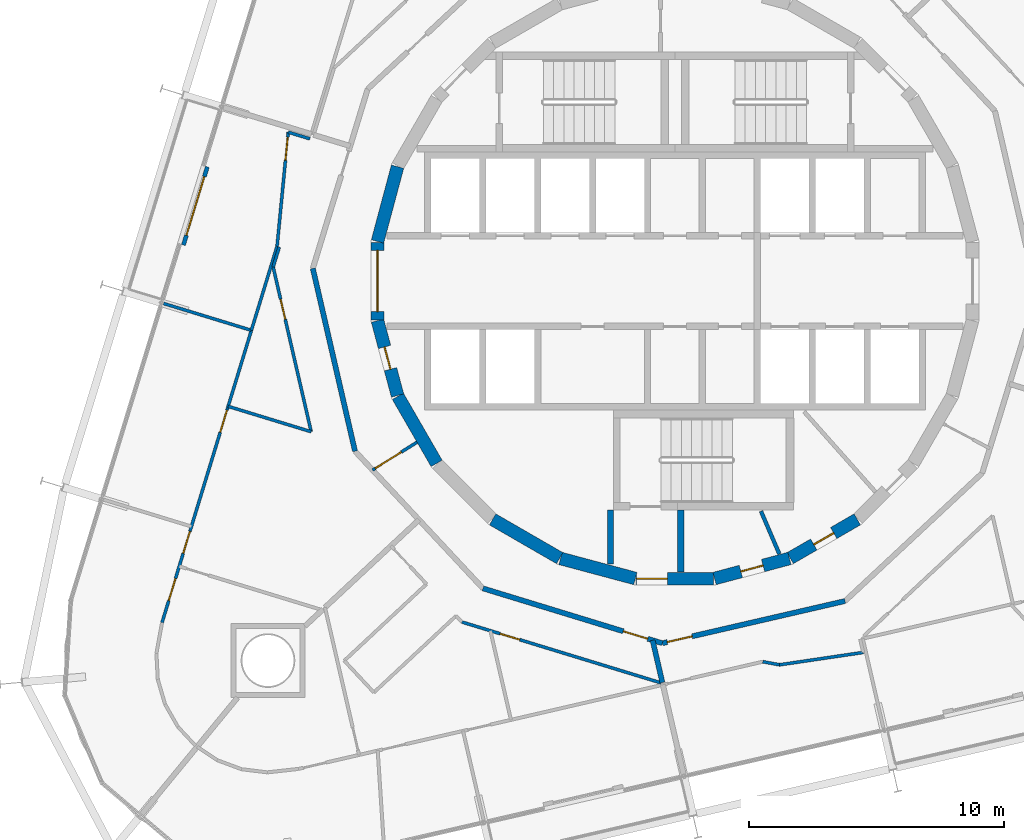
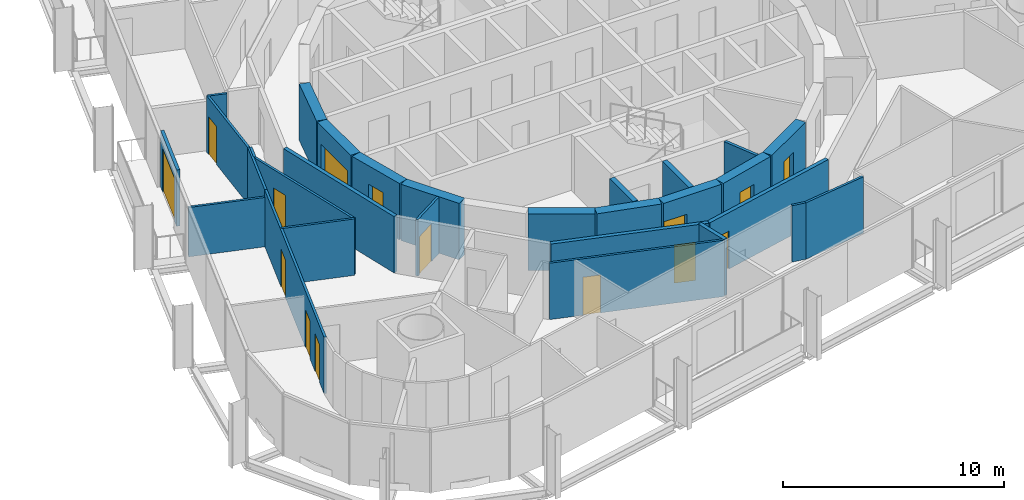
# One storey, part 12 of 18: 29 walls, 15 doors, 15 openings.
"""IFC4 building model written with IfcOpenShell, lengths in metres."""

from ifc_helpers import new_model, si_unit, direction, frame, frame_2d, origin, place, context, subcontext, project, spatial, rectangle, extrude, material, layer, layer_set, type_object, element, fill, save


model = new_model("IFC4")

# Units and contexts
model_context = context("Model", 3, precision=1e-05, world=origin(), true_north=direction((0.0, 1.0)))
body_context = subcontext(model_context, "Body", "Model", "MODEL_VIEW")
ifc_project = project(units=[si_unit("LENGTHUNIT", "METRE"), si_unit("AREAUNIT", "SQUARE_METRE"), si_unit("VOLUMEUNIT", "CUBIC_METRE"), si_unit("PLANEANGLEUNIT", "RADIAN"), si_unit("MASSUNIT", "GRAM", prefix="KILO")], contexts=[model_context])

# Site, building, storey
site_placement = place(None, origin())
site = spatial("IfcSite", under=ifc_project, at=site_placement, CompositionType="ELEMENT")
building_placement = place(site_placement, origin())
building = spatial("IfcBuilding", under=site, at=building_placement, Name="Spindle Arch Residences", CompositionType="ELEMENT")
storey_placement = place(building_placement, frame((0.0, 0.0, 120.39990234375)))
storey = spatial("IfcBuildingStorey", under=building, at=storey_placement, Name="L29", CompositionType="ELEMENT", Elevation=120.39990234375)

# Wall, opening, door
ifc_material_1 = material(Name="Concrete C50/60", Category="concrete")
ifc_layer_1 = layer(ifc_material_1, 0.5)
ifc_layer_set_1 = layer_set([ifc_layer_1], Name="Core outline wall 500")
wall_type_1 = type_object("IfcWallType", Name="Core outline wall 500", PredefinedType="SHEAR", material=ifc_layer_set_1)
wall_1_placement = place(storey_placement, frame((1.5498046875, -11.642822265625, 0.0), z_axis=(0.0, 0.0, 1.0), x_axis=(0.965948410781, 0.258734743916, 0.0)))
wall_1 = element("IfcWall", 1, at=wall_1_placement, inside=storey, type_object=wall_type_1, Name="Core outline wall 1", PredefinedType="SHEAR", context=body_context, shape_type="SweptSolid", body=[
    extrude(rectangle(XDim=3.03271484375, YDim=0.5, at=frame_2d((1.516357421875, 0.0))), origin(), (0.0, 0.0, 1.0), 3.1201171875),
])
opening_1_placement = place(wall_1_placement, frame((1.06640625, 0.0, 0.0)))
opening_1 = element("IfcOpeningElement", 2, at=opening_1_placement, cuts=wall_1, Name="Opening R3A0-WD09", PredefinedType="OPENING", context=body_context, shape_type="SweptSolid", body=[
    extrude(rectangle(XDim=0.89990234375, YDim=2.10009765625, at=frame_2d((0.449951171875, 1.050048828125))), frame((0.0, 0.260009765625, 0.0), z_axis=(0.0, -1.0, 0.0), x_axis=(1.0, 0.0, 0.0)), (0.0, 0.0, 1.0), 0.52001953125),
])
ifc_material_2 = material(Name="Steel, fire-resisting door", Category="steel")
door_type_1 = type_object("IfcDoorType", Name="Service room door 900x2100", OperationType="SINGLE_SWING_LEFT", PredefinedType="DOOR", material=ifc_material_2)
door_1_placement = place(opening_1_placement, origin())
door_1 = element("IfcDoor", 3, at=door_1_placement, inside=storey, type_object=door_type_1, Name="Service room door R3A0-WD09", OperationType="SINGLE_SWING_RIGHT", OverallHeight=2.10009765625, OverallWidth=0.89990234375, PredefinedType="DOOR", context=body_context, shape_type="SweptSolid", body=[
    extrude(rectangle(XDim=0.89990234375, YDim=2.10009765625, at=frame_2d((0.449951171875, 1.050048828125))), frame((0.0, 0.02490234375, 0.0), z_axis=(0.0, -1.0, 0.0), x_axis=(1.0, 0.0, 0.0)), (0.0, 0.0, 1.0), 0.050048828125),
])
fill(opening_1, door_1)

wall_2_placement = place(storey_placement, frame((4.510498046875, -10.84521484375, 0.0), z_axis=(0.0, 0.0, 1.0), x_axis=(0.865975092491, 0.500087131594, 0.0)))
wall_2 = element("IfcWall", 4, at=wall_2_placement, inside=storey, type_object=wall_type_1, Name="Core outline wall 2", PredefinedType="SHEAR", context=body_context, shape_type="SweptSolid", body=[
    extrude(rectangle(XDim=3.03271484375, YDim=0.5, at=frame_2d((1.516357421875, 0.0))), origin(), (0.0, 0.0, 1.0), 3.1201171875),
])
opening_2_placement = place(wall_2_placement, frame((1.06640625, 0.0, 0.0)))
opening_2 = element("IfcOpeningElement", 5, at=opening_2_placement, cuts=wall_2, Name="Opening R3A0-WD10", PredefinedType="OPENING", context=body_context, shape_type="SweptSolid", body=[
    extrude(rectangle(XDim=0.89990234375, YDim=2.10009765625, at=frame_2d((0.449951171875, 1.050048828125))), frame((0.0, 0.260009765625, 0.0), z_axis=(0.0, -1.0, 0.0), x_axis=(1.0, 0.0, 0.0)), (0.0, 0.0, 1.0), 0.52001953125),
])
door_2_placement = place(opening_2_placement, origin())
door_2 = element("IfcDoor", 6, at=door_2_placement, inside=storey, type_object=door_type_1, Name="Service room door R3A0-WD10", OperationType="SINGLE_SWING_LEFT", OverallHeight=2.10009765625, OverallWidth=0.89990234375, PredefinedType="DOOR", context=body_context, shape_type="SweptSolid", body=[
    extrude(rectangle(XDim=0.89990234375, YDim=2.10009765625, at=frame_2d((0.449951171875, 1.050048828125))), frame((0.0, 0.02490234375, 0.0), z_axis=(0.0, -1.0, 0.0), x_axis=(1.0, 0.0, 0.0)), (0.0, 0.0, 1.0), 0.050048828125),
])
fill(opening_2, door_2)

# Wall
wall_3_placement = place(storey_placement, frame((-10.858154296875, 4.479248046875, 0.0), z_axis=(0.0, 0.0, 1.0), x_axis=(-0.258734743916, -0.965948410781, 0.0)))
element("IfcWall", 7, at=wall_3_placement, inside=storey, type_object=wall_type_1, Name="Core outline wall 17", PredefinedType="SHEAR", context=body_context, shape_type="SweptSolid", body=[
    extrude(rectangle(XDim=3.03271484375, YDim=0.5, at=frame_2d((1.516357421875, 0.0))), origin(), (0.0, 0.0, 1.0), 3.1201171875),
])

# Wall, opening, door
wall_4_placement = place(storey_placement, frame((-11.647216796875, 1.516357421875, 0.0), z_axis=(0.0, 0.0, 1.0), x_axis=(0.0, -1.0, 0.0)))
wall_4 = element("IfcWall", 8, at=wall_4_placement, inside=storey, type_object=wall_type_1, Name="Core outline wall 18", PredefinedType="SHEAR", context=body_context, shape_type="SweptSolid", body=[
    extrude(rectangle(XDim=3.03271484375, YDim=0.5, at=frame_2d((1.516357421875, 0.0))), origin(), (0.0, 0.0, 1.0), 3.1201171875),
])
opening_3_placement = place(wall_4_placement, frame((0.31640625, 0.0, 0.0)))
opening_3 = element("IfcOpeningElement", 9, at=opening_3_placement, cuts=wall_4, Name="Opening R3A0-LE01", PredefinedType="OPENING", context=body_context, shape_type="SweptSolid", body=[
    extrude(rectangle(XDim=2.39990234375, YDim=2.10009765625, at=frame_2d((1.199951171875, 1.050048828125))), frame((0.0, 0.260009765625, 0.0), z_axis=(0.0, -1.0, 0.0), x_axis=(1.0, 0.0, 0.0)), (0.0, 0.0, 1.0), 0.52001953125),
])
ifc_material_3 = material(Name="Steel, fire-resisting door", Category="steel")
door_type_2 = type_object("IfcDoorType", Name="Lift lobby entrance door 2400x2100", OperationType="DOUBLE_DOOR_SINGLE_SWING", PredefinedType="DOOR", material=ifc_material_3)
door_3_placement = place(opening_3_placement, origin())
door_3 = element("IfcDoor", 10, at=door_3_placement, inside=storey, type_object=door_type_2, Name="Lift lobby entrance door R3A0-LE01", OperationType="DOUBLE_DOOR_SINGLE_SWING", OverallHeight=2.10009765625, OverallWidth=2.39990234375, PredefinedType="DOOR", context=body_context, shape_type="SweptSolid", body=[
    extrude(rectangle(XDim=2.39990234375, YDim=2.10009765625, at=frame_2d((1.199951171875, 1.050048828125))), frame((0.0, 0.02490234375, 0.0), z_axis=(0.0, -1.0, 0.0), x_axis=(1.0, 0.0, 0.0)), (0.0, 0.0, 1.0), 0.050048828125),
])
fill(opening_3, door_3)

wall_5_placement = place(storey_placement, frame((-11.642822265625, -1.5498046875, 0.0), z_axis=(0.0, 0.0, 1.0), x_axis=(0.258734743916, -0.965948410781, 0.0)))
wall_5 = element("IfcWall", 11, at=wall_5_placement, inside=storey, type_object=wall_type_1, Name="Core outline wall 19", PredefinedType="SHEAR", context=body_context, shape_type="SweptSolid", body=[
    extrude(rectangle(XDim=3.03271484375, YDim=0.5, at=frame_2d((1.516357421875, 0.0))), origin(), (0.0, 0.0, 1.0), 3.1201171875),
])
opening_4_placement = place(wall_5_placement, frame((1.06640625, 0.0, 0.0)))
opening_4 = element("IfcOpeningElement", 12, at=opening_4_placement, cuts=wall_5, Name="Opening R3A0-WD11", PredefinedType="OPENING", context=body_context, shape_type="SweptSolid", body=[
    extrude(rectangle(XDim=0.89990234375, YDim=2.10009765625, at=frame_2d((0.449951171875, 1.050048828125))), frame((0.0, 0.260009765625, 0.0), z_axis=(0.0, -1.0, 0.0), x_axis=(1.0, 0.0, 0.0)), (0.0, 0.0, 1.0), 0.52001953125),
])
door_4_placement = place(opening_4_placement, origin())
door_4 = element("IfcDoor", 13, at=door_4_placement, inside=storey, type_object=door_type_1, Name="Service room door R3A0-WD11", OperationType="SINGLE_SWING_RIGHT", OverallHeight=2.10009765625, OverallWidth=0.89990234375, PredefinedType="DOOR", context=body_context, shape_type="SweptSolid", body=[
    extrude(rectangle(XDim=0.89990234375, YDim=2.10009765625, at=frame_2d((0.449951171875, 1.050048828125))), frame((0.0, 0.02490234375, 0.0), z_axis=(0.0, -1.0, 0.0), x_axis=(1.0, 0.0, 0.0)), (0.0, 0.0, 1.0), 0.050048828125),
])
fill(opening_4, door_4)

# Walls
for number, where, z_axis, x_axis, name in (
    (14, (-10.84521484375, -4.510498046875, 0.0), (0.0, 0.0, 1.0), (0.500087131594, -0.865975092491, 0.0), "Core outline wall 20"),
    (15, (-7.13671875, -9.32861328125, 0.0), (0.0, 0.0, 1.0), (0.865975092491, -0.500087131594, 0.0), "Core outline wall 22"),
    (16, (-4.479248046875, -10.858154296875, 0.0), (0.0, 0.0, 1.0), (0.965948410781, -0.258734743916, 0.0), "Core outline wall 23"),
):
    element("IfcWall", number, at=place(storey_placement, frame(where, z_axis=z_axis, x_axis=x_axis)), inside=storey, type_object=wall_type_1, Name=name, PredefinedType="SHEAR", context=body_context, shape_type="SweptSolid", body=[
        extrude(rectangle(XDim=3.03271484375, YDim=0.5, at=frame_2d((1.516357421875, 0.0))), origin(), (0.0, 0.0, 1.0), 3.1201171875),
    ])

# Wall, opening, door
wall_6_placement = place(storey_placement, frame((-1.516357421875, -11.647216796875, 0.0), z_axis=(0.0, 0.0, 1.0), x_axis=(1.0, 0.0, 0.0)))
wall_6 = element("IfcWall", 17, at=wall_6_placement, inside=storey, type_object=wall_type_1, Name="Core outline wall 24", PredefinedType="SHEAR", context=body_context, shape_type="SweptSolid", body=[
    extrude(rectangle(XDim=3.03271484375, YDim=0.5, at=frame_2d((1.516357421875, 0.0))), origin(), (0.0, 0.0, 1.0), 3.1201171875),
])
opening_5_placement = place(wall_6_placement, frame((0.016357421875, 0.0, 0.0)))
opening_5 = element("IfcOpeningElement", 18, at=opening_5_placement, cuts=wall_6, Name="Opening R3A0-AD03", PredefinedType="OPENING", context=body_context, shape_type="SweptSolid", body=[
    extrude(rectangle(XDim=1.199951171875, YDim=2.10009765625, at=frame_2d((0.60009765625, 1.050048828125))), frame((0.0, 0.260009765625, 0.0), z_axis=(0.0, -1.0, 0.0), x_axis=(1.0, 0.0, 0.0)), (0.0, 0.0, 1.0), 0.52001953125),
])
ifc_material_4 = material(Name="Steel, fire-resisting door", Category="steel")
door_type_3 = type_object("IfcDoorType", Name="Stair airlock door 1200x2100", OperationType="SINGLE_SWING_LEFT", PredefinedType="DOOR", material=ifc_material_4)
door_5_placement = place(opening_5_placement, origin())
door_5 = element("IfcDoor", 19, at=door_5_placement, inside=storey, type_object=door_type_3, Name="Stair airlock door R3A0-AD03", OperationType="SINGLE_SWING_RIGHT", OverallHeight=2.10009765625, OverallWidth=1.199951171875, PredefinedType="DOOR", context=body_context, shape_type="SweptSolid", body=[
    extrude(rectangle(XDim=1.199951171875, YDim=2.10009765625, at=frame_2d((0.60009765625, 1.050048828125))), frame((0.0, 0.02490234375, 0.0), z_axis=(0.0, -1.0, 0.0), x_axis=(1.0, 0.0, 0.0)), (0.0, 0.0, 1.0), 0.050048828125),
])
fill(opening_5, door_5)

ifc_material_5 = material(Name="Plasterboard on steel studs", Category="steel")
ifc_layer_2 = layer(ifc_material_5, 0.1201171875)
ifc_layer_set_2 = layer_set([ifc_layer_2], Name="Corridor division wall 120")
wall_type_2 = type_object("IfcWallType", Name="Corridor division wall 120", PredefinedType="PARTITIONING", material=ifc_layer_set_2)
wall_7_placement = place(storey_placement, frame((-11.835693359375, -7.395751953125, 0.0), z_axis=(0.0, 0.0, 1.0), x_axis=(0.848071831599, 0.529881277692, 0.0)))
wall_7 = element("IfcWall", 20, at=wall_7_placement, inside=storey, type_object=wall_type_2, Name="Corridor division wall R3A0-W003", PredefinedType="PARTITIONING", context=body_context, shape_type="SweptSolid", body=[
    extrude(rectangle(XDim=2.0517578125, YDim=0.1201171875, at=frame_2d((1.02587890625, 0.0))), origin(), (0.0, 0.0, 1.0), 3.1201171875),
])
opening_6_placement = place(wall_7_placement, frame((0.125, 0.0, 0.0)))
opening_6 = element("IfcOpeningElement", 21, at=opening_6_placement, cuts=wall_7, Name="Opening R3A0-CD03", PredefinedType="OPENING", context=body_context, shape_type="SweptSolid", body=[
    extrude(rectangle(XDim=1.199951171875, YDim=2.10009765625, at=frame_2d((0.60009765625, 1.050048828125))), frame((0.0, 0.070068359375, 0.0), z_axis=(0.0, -1.0, 0.0), x_axis=(1.0, 0.0, 0.0)), (0.0, 0.0, 1.0), 0.14013671875),
])
ifc_material_6 = material(Name="Steel, fire-resisting door", Category="steel")
door_type_4 = type_object("IfcDoorType", Name="Corridor division door 1200x2100", OperationType="NOTDEFINED", PredefinedType="DOOR", material=ifc_material_6)
door_6_placement = place(opening_6_placement, origin())
door_6 = element("IfcDoor", 22, at=door_6_placement, inside=storey, type_object=door_type_4, Name="Corridor division door R3A0-CD03", OperationType="DOUBLE_DOOR_SINGLE_SWING", OverallHeight=2.10009765625, OverallWidth=1.199951171875, PredefinedType="DOOR", context=body_context, shape_type="SweptSolid", body=[
    extrude(rectangle(XDim=1.199951171875, YDim=2.10009765625, at=frame_2d((0.60009765625, 1.050048828125))), frame((0.0, 0.02490234375, 0.0), z_axis=(0.0, -1.0, 0.0), x_axis=(1.0, 0.0, 0.0)), (0.0, 0.0, 1.0), 0.050048828125),
])
fill(opening_6, door_6)

# Wall
ifc_material_7 = material(Name="Calcium silicate block, plastered")
ifc_layer_3 = layer(ifc_material_7, 0.199951171875)
ifc_layer_set_3 = layer_set([ifc_layer_3], Name="Corridor wall 200")
wall_type_3 = type_object("IfcWallType", Name="Corridor wall 200", PredefinedType="STANDARD", material=ifc_layer_set_3)
wall_8_placement = place(storey_placement, frame((-14.174560546875, 0.4951171875, 0.0), z_axis=(0.0, 0.0, 1.0), x_axis=(0.224922649383, -0.974376622151, 0.0)))
element("IfcWall", 23, at=wall_8_placement, inside=storey, type_object=wall_type_3, Name="Corridor wall R3A0-W011", PredefinedType="STANDARD", context=body_context, shape_type="SweptSolid", body=[
    extrude(rectangle(XDim=7.342041015625, YDim=0.199951171875, at=frame_2d((3.6708984375, 0.0))), origin(), (0.0, 0.0, 1.0), 3.1201171875),
])

# Wall, opening, door
wall_9_placement = place(storey_placement, frame((-7.51611328125, -12.028076171875, 0.0), z_axis=(0.0, 0.0, 1.0), x_axis=(0.956306642771, -0.292365533182, 0.0)))
wall_9 = element("IfcWall", 24, at=wall_9_placement, inside=storey, type_object=wall_type_3, Name="Corridor wall R3A0-W013", PredefinedType="STANDARD", context=body_context, shape_type="SweptSolid", body=[
    extrude(rectangle(XDim=7.341796875, YDim=0.199951171875, at=frame_2d((3.6708984375, 0.0))), origin(), (0.0, 0.0, 1.0), 3.1201171875),
])
opening_7_placement = place(wall_9_placement, frame((5.7451171875, 0.0, 0.0)))
opening_7 = element("IfcOpeningElement", 25, at=opening_7_placement, cuts=wall_9, Name="Opening R3A0-FD05", PredefinedType="OPENING", context=body_context, shape_type="SweptSolid", body=[
    extrude(rectangle(XDim=1.0, YDim=2.10009765625, at=frame_2d((0.5, 1.050048828125))), frame((0.0, 0.10986328125, 0.0), z_axis=(0.0, -1.0, 0.0), x_axis=(1.0, 0.0, 0.0)), (0.0, 0.0, 1.0), 0.219970703125),
])
ifc_material_8 = material(Name="Timber, fire-resisting door set", Category="wood")
door_type_5 = type_object("IfcDoorType", Name="Flat entrance door 1000x2100", OperationType="NOTDEFINED", PredefinedType="DOOR", material=ifc_material_8)
door_7_placement = place(opening_7_placement, origin())
door_7 = element("IfcDoor", 26, at=door_7_placement, inside=storey, type_object=door_type_5, Name="Flat entrance door R3A0-FD05", OperationType="SINGLE_SWING_LEFT", OverallHeight=2.10009765625, OverallWidth=1.0, PredefinedType="DOOR", context=body_context, shape_type="SweptSolid", body=[
    extrude(rectangle(XDim=1.0, YDim=2.10009765625, at=frame_2d((0.5, 1.050048828125))), frame((0.0, 0.02490234375, 0.0), z_axis=(0.0, -1.0, 0.0), x_axis=(1.0, 0.0, 0.0)), (0.0, 0.0, 1.0), 0.050048828125),
])
fill(opening_7, door_7)

wall_10_placement = place(storey_placement, frame((-0.4951171875, -14.174560546875, 0.0), z_axis=(0.0, 0.0, 1.0), x_axis=(0.974376622151, 0.224922649383, 0.0)))
wall_10 = element("IfcWall", 27, at=wall_10_placement, inside=storey, type_object=wall_type_3, Name="Corridor wall R3A0-W014", PredefinedType="STANDARD", context=body_context, shape_type="SweptSolid", body=[
    extrude(rectangle(XDim=7.342041015625, YDim=0.199951171875, at=frame_2d((3.6708984375, 0.0))), origin(), (0.0, 0.0, 1.0), 3.1201171875),
])
opening_8_placement = place(wall_10_placement, frame((0.199951171875, 0.0, 0.0)))
opening_8 = element("IfcOpeningElement", 28, at=opening_8_placement, cuts=wall_10, Name="Opening R3A0-FD06", PredefinedType="OPENING", context=body_context, shape_type="SweptSolid", body=[
    extrude(rectangle(XDim=1.0, YDim=2.10009765625, at=frame_2d((0.5, 1.050048828125))), frame((0.0, 0.10986328125, 0.0), z_axis=(0.0, -1.0, 0.0), x_axis=(1.0, 0.0, 0.0)), (0.0, 0.0, 1.0), 0.219970703125),
])
door_8_placement = place(opening_8_placement, origin())
door_8 = element("IfcDoor", 29, at=door_8_placement, inside=storey, type_object=door_type_5, Name="Flat entrance door R3A0-FD06", OperationType="SINGLE_SWING_LEFT", OverallHeight=2.10009765625, OverallWidth=1.0, PredefinedType="DOOR", context=body_context, shape_type="SweptSolid", body=[
    extrude(rectangle(XDim=1.0, YDim=2.10009765625, at=frame_2d((0.5, 1.050048828125))), frame((0.0, 0.02490234375, 0.0), z_axis=(0.0, -1.0, 0.0), x_axis=(1.0, 0.0, 0.0)), (0.0, 0.0, 1.0), 0.050048828125),
])
fill(opening_8, door_8)

# Wall
ifc_material_9 = material(Name="Plasterboard on steel studs", Category="steel")
ifc_layer_4 = layer(ifc_material_9, 0.1201171875)
ifc_layer_set_4 = layer_set([ifc_layer_4], Name="Flat partition 120")
wall_type_4 = type_object("IfcWallType", Name="Flat partition 120", PredefinedType="PARTITIONING", material=ifc_layer_set_4)
wall_11_placement = place(storey_placement, frame((-14.287353515625, 5.567626953125, 0.0), z_axis=(0.0, 0.0, 1.0), x_axis=(-0.956287662261, 0.292427609859, 0.0)))
element("IfcWall", 30, at=wall_11_placement, inside=storey, type_object=wall_type_4, Name="Flat partition R3A0-W073", PredefinedType="PARTITIONING", context=body_context, shape_type="SweptSolid", body=[
    extrude(rectangle(XDim=0.889892578125, YDim=0.1201171875, at=frame_2d((0.44482421875, 0.0))), origin(), (0.0, 0.0, 1.0), 3.1201171875),
])

# Wall, opening, door
wall_12_placement = place(storey_placement, frame((-15.138427734375, 5.827880859375, 0.0), z_axis=(0.0, 0.0, 1.0), x_axis=(-0.096967255409, -0.995287572201, 0.0)))
wall_12 = element("IfcWall", 31, at=wall_12_placement, inside=storey, type_object=wall_type_4, Name="Flat partition R3A0-W074", PredefinedType="PARTITIONING", context=body_context, shape_type="SweptSolid", body=[
    extrude(rectangle(XDim=4.4892578125, YDim=0.1201171875, at=frame_2d((2.24462890625, 0.0))), origin(), (0.0, 0.0, 1.0), 3.1201171875),
])
opening_9_placement = place(wall_12_placement, frame((0.199951171875, 0.0, 0.0)))
opening_9 = element("IfcOpeningElement", 32, at=opening_9_placement, cuts=wall_12, Name="Opening R3A0-ID17", PredefinedType="OPENING", context=body_context, shape_type="SweptSolid", body=[
    extrude(rectangle(XDim=0.89990234375, YDim=2.10009765625, at=frame_2d((0.449951171875, 1.050048828125))), frame((0.0, 0.070068359375, 0.0), z_axis=(0.0, -1.0, 0.0), x_axis=(1.0, 0.0, 0.0)), (0.0, 0.0, 1.0), 0.14013671875),
])
ifc_material_10 = material(Name="Timber door set", Category="wood")
door_type_6 = type_object("IfcDoorType", Name="Room door 900x2100", OperationType="NOTDEFINED", PredefinedType="DOOR", material=ifc_material_10)
door_9_placement = place(opening_9_placement, origin())
door_9 = element("IfcDoor", 33, at=door_9_placement, inside=storey, type_object=door_type_6, Name="Room door R3A0-ID17", OperationType="SINGLE_SWING_LEFT", OverallHeight=2.10009765625, OverallWidth=0.89990234375, PredefinedType="DOOR", context=body_context, shape_type="SweptSolid", body=[
    extrude(rectangle(XDim=0.89990234375, YDim=2.10009765625, at=frame_2d((0.449951171875, 1.050048828125))), frame((0.0, 0.02490234375, 0.0), z_axis=(0.0, -1.0, 0.0), x_axis=(1.0, 0.0, 0.0)), (0.0, 0.0, 1.0), 0.050048828125),
])
fill(opening_9, door_9)

# Wall
wall_13_placement = place(storey_placement, frame((-15.48681640625, 1.33349609375, 0.0), z_axis=(0.0, 0.0, 1.0), x_axis=(-0.2923698127, -0.956305334411, 0.0)))
element("IfcWall", 34, at=wall_13_placement, inside=storey, type_object=wall_type_4, Name="Flat partition R3A0-W075", PredefinedType="PARTITIONING", context=body_context, shape_type="SweptSolid", body=[
    extrude(rectangle(XDim=0.820068359375, YDim=0.1201171875, at=frame_2d((0.41015625, 0.0))), origin(), (0.0, 0.0, 1.0), 3.1201171875),
])

# Wall, opening, door
wall_14_placement = place(storey_placement, frame((-15.7265625, 0.54931640625, 0.0), z_axis=(0.0, 0.0, 1.0), x_axis=(0.224948441297, -0.974370668051, 0.0)))
wall_14 = element("IfcWall", 35, at=wall_14_placement, inside=storey, type_object=wall_type_4, Name="Flat partition R3A0-W076", PredefinedType="PARTITIONING", context=body_context, shape_type="SweptSolid", body=[
    extrude(rectangle(XDim=6.6162109375, YDim=0.1201171875, at=frame_2d((3.30810546875, 0.0))), origin(), (0.0, 0.0, 1.0), 3.1201171875),
])
opening_10_placement = place(wall_14_placement, frame((1.300048828125, 0.0, 0.0)))
opening_10 = element("IfcOpeningElement", 36, at=opening_10_placement, cuts=wall_14, Name="Opening R3A0-BD05", PredefinedType="OPENING", context=body_context, shape_type="SweptSolid", body=[
    extrude(rectangle(XDim=0.800048828125, YDim=2.10009765625, at=frame_2d((0.39990234375, 1.050048828125))), frame((0.0, 0.070068359375, 0.0), z_axis=(0.0, -1.0, 0.0), x_axis=(1.0, 0.0, 0.0)), (0.0, 0.0, 1.0), 0.14013671875),
])
ifc_material_11 = material(Name="Timber door set", Category="wood")
door_type_7 = type_object("IfcDoorType", Name="Bathroom door 800x2100", OperationType="NOTDEFINED", PredefinedType="DOOR", material=ifc_material_11)
door_10_placement = place(opening_10_placement, origin())
door_10 = element("IfcDoor", 37, at=door_10_placement, inside=storey, type_object=door_type_7, Name="Bathroom door R3A0-BD05", OperationType="SINGLE_SWING_RIGHT", OverallHeight=2.10009765625, OverallWidth=0.800048828125, PredefinedType="DOOR", context=body_context, shape_type="SweptSolid", body=[
    extrude(rectangle(XDim=0.800048828125, YDim=2.10009765625, at=frame_2d((0.39990234375, 1.050048828125))), frame((0.0, 0.02490234375, 0.0), z_axis=(0.0, -1.0, 0.0), x_axis=(1.0, 0.0, 0.0)), (0.0, 0.0, 1.0), 0.050048828125),
])
fill(opening_10, door_10)

# Wall
wall_15_placement = place(storey_placement, frame((-14.23828125, -5.897216796875, 0.0), z_axis=(0.0, 0.0, 1.0), x_axis=(-0.956314762513, 0.292338972768, 0.0)))
element("IfcWall", 38, at=wall_15_placement, inside=storey, type_object=wall_type_4, Name="Flat partition R3A0-W077", PredefinedType="PARTITIONING", context=body_context, shape_type="SweptSolid", body=[
    extrude(rectangle(XDim=3.39892578125, YDim=0.1201171875, at=frame_2d((1.699462890625, 0.0))), origin(), (0.0, 0.0, 1.0), 3.1201171875),
])

# Wall, openings, doors
wall_16_placement = place(storey_placement, frame((-16.5791015625, -1.927978515625, 0.0), z_axis=(0.0, 0.0, 1.0), x_axis=(-0.29236733738, -0.956306091183, 0.0)))
wall_16 = element("IfcWall", 39, at=wall_16_placement, inside=storey, type_object=wall_type_4, Name="Flat partition R3A0-W078", PredefinedType="PARTITIONING", context=body_context, shape_type="SweptSolid", body=[
    extrude(rectangle(XDim=11.962890625, YDim=0.1201171875, at=frame_2d((5.9814453125, 0.0))), origin(), (0.0, 0.0, 1.0), 3.1201171875),
])
opening_11_placement = place(wall_16_placement, frame((3.271484375, 0.0, 0.0)))
opening_11 = element("IfcOpeningElement", 40, at=opening_11_placement, cuts=wall_16, Name="Opening R3A0-ID18", PredefinedType="OPENING", context=body_context, shape_type="SweptSolid", body=[
    extrude(rectangle(XDim=0.89990234375, YDim=2.10009765625, at=frame_2d((0.449951171875, 1.050048828125))), frame((0.0, 0.070068359375, 0.0), z_axis=(0.0, -1.0, 0.0), x_axis=(1.0, 0.0, 0.0)), (0.0, 0.0, 1.0), 0.14013671875),
])
opening_12_placement = place(wall_16_placement, frame((8.22900390625, 0.0, 0.0)))
opening_12 = element("IfcOpeningElement", 41, at=opening_12_placement, cuts=wall_16, Name="Opening R3A0-ID19", PredefinedType="OPENING", context=body_context, shape_type="SweptSolid", body=[
    extrude(rectangle(XDim=0.89990234375, YDim=2.10009765625, at=frame_2d((0.449951171875, 1.050048828125))), frame((0.0, 0.070068359375, 0.0), z_axis=(0.0, -1.0, 0.0), x_axis=(1.0, 0.0, 0.0)), (0.0, 0.0, 1.0), 0.14013671875),
])
opening_13_placement = place(wall_16_placement, frame((10.160888671875, 0.0, 0.0)))
opening_13 = element("IfcOpeningElement", 42, at=opening_13_placement, cuts=wall_16, Name="Opening R3A0-ID21", PredefinedType="OPENING", context=body_context, shape_type="SweptSolid", body=[
    extrude(rectangle(XDim=0.89990234375, YDim=2.10009765625, at=frame_2d((0.449951171875, 1.050048828125))), frame((0.0, 0.070068359375, 0.0), z_axis=(0.0, -1.0, 0.0), x_axis=(1.0, 0.0, 0.0)), (0.0, 0.0, 1.0), 0.14013671875),
])
door_11_placement = place(opening_11_placement, origin())
door_11 = element("IfcDoor", 43, at=door_11_placement, inside=storey, type_object=door_type_6, Name="Room door R3A0-ID18", OperationType="SINGLE_SWING_RIGHT", OverallHeight=2.10009765625, OverallWidth=0.89990234375, PredefinedType="DOOR", context=body_context, shape_type="SweptSolid", body=[
    extrude(rectangle(XDim=0.89990234375, YDim=2.10009765625, at=frame_2d((0.449951171875, 1.050048828125))), frame((0.0, 0.02490234375, 0.0), z_axis=(0.0, -1.0, 0.0), x_axis=(1.0, 0.0, 0.0)), (0.0, 0.0, 1.0), 0.050048828125),
])
fill(opening_11, door_11)
door_12_placement = place(opening_12_placement, origin())
door_12 = element("IfcDoor", 44, at=door_12_placement, inside=storey, type_object=door_type_6, Name="Room door R3A0-ID19", OperationType="SINGLE_SWING_RIGHT", OverallHeight=2.10009765625, OverallWidth=0.89990234375, PredefinedType="DOOR", context=body_context, shape_type="SweptSolid", body=[
    extrude(rectangle(XDim=0.89990234375, YDim=2.10009765625, at=frame_2d((0.449951171875, 1.050048828125))), frame((0.0, 0.02490234375, 0.0), z_axis=(0.0, -1.0, 0.0), x_axis=(1.0, 0.0, 0.0)), (0.0, 0.0, 1.0), 0.050048828125),
])
fill(opening_12, door_12)
door_13_placement = place(opening_13_placement, origin())
door_13 = element("IfcDoor", 45, at=door_13_placement, inside=storey, type_object=door_type_6, Name="Room door R3A0-ID21", OperationType="SINGLE_SWING_LEFT", OverallHeight=2.10009765625, OverallWidth=0.89990234375, PredefinedType="DOOR", context=body_context, shape_type="SweptSolid", body=[
    extrude(rectangle(XDim=0.89990234375, YDim=2.10009765625, at=frame_2d((0.449951171875, 1.050048828125))), frame((0.0, 0.02490234375, 0.0), z_axis=(0.0, -1.0, 0.0), x_axis=(1.0, 0.0, 0.0)), (0.0, 0.0, 1.0), 0.050048828125),
])
fill(opening_13, door_13)

# Wall
wall_17_placement = place(storey_placement, frame((-16.5791015625, -1.927978515625, 0.0), z_axis=(0.0, 0.0, 1.0), x_axis=(0.292418780126, 0.956290362301, 0.0)))
element("IfcWall", 46, at=wall_17_placement, inside=storey, type_object=wall_type_4, Name="Flat partition R3A0-W080", PredefinedType="PARTITIONING", context=body_context, shape_type="SweptSolid", body=[
    extrude(rectangle(XDim=3.438232421875, YDim=0.1201171875, at=frame_2d((1.71923828125, 0.0))), origin(), (0.0, 0.0, 1.0), 3.1201171875),
])

# Wall, opening, door
wall_18_placement = place(storey_placement, frame((-8.3388671875, -13.34521484375, 0.0), z_axis=(0.0, 0.0, 1.0), x_axis=(0.956310145342, -0.292354076276, 0.0)))
wall_18 = element("IfcWall", 47, at=wall_18_placement, inside=storey, type_object=wall_type_4, Name="Flat partition R3A0-W093", PredefinedType="PARTITIONING", context=body_context, shape_type="SweptSolid", body=[
    extrude(rectangle(XDim=8.1455078125, YDim=0.1201171875, at=frame_2d((4.07275390625, 0.0))), origin(), (0.0, 0.0, 1.0), 3.1201171875),
])
opening_14_placement = place(wall_18_placement, frame((1.565185546875, 0.0, 0.0)))
opening_14 = element("IfcOpeningElement", 48, at=opening_14_placement, cuts=wall_18, Name="Opening R3A0-BD06", PredefinedType="OPENING", context=body_context, shape_type="SweptSolid", body=[
    extrude(rectangle(XDim=0.800048828125, YDim=2.10009765625, at=frame_2d((0.39990234375, 1.050048828125))), frame((0.0, 0.070068359375, 0.0), z_axis=(0.0, -1.0, 0.0), x_axis=(1.0, 0.0, 0.0)), (0.0, 0.0, 1.0), 0.14013671875),
])
door_14_placement = place(opening_14_placement, origin())
door_14 = element("IfcDoor", 49, at=door_14_placement, inside=storey, type_object=door_type_7, Name="Bathroom door R3A0-BD06", OperationType="SINGLE_SWING_LEFT", OverallHeight=2.10009765625, OverallWidth=0.800048828125, PredefinedType="DOOR", context=body_context, shape_type="SweptSolid", body=[
    extrude(rectangle(XDim=0.800048828125, YDim=2.10009765625, at=frame_2d((0.39990234375, 1.050048828125))), frame((0.0, 0.02490234375, 0.0), z_axis=(0.0, -1.0, 0.0), x_axis=(1.0, 0.0, 0.0)), (0.0, 0.0, 1.0), 0.050048828125),
])
fill(opening_14, door_14)

# Walls
wall_19_placement = place(storey_placement, frame((3.439697265625, -14.89892578125, 0.0), z_axis=(0.0, 0.0, 1.0), x_axis=(0.98314539863, -0.182825395264, 0.0)))
element("IfcWall", 50, at=wall_19_placement, inside=storey, type_object=wall_type_4, Name="Flat partition R3A0-W103", PredefinedType="PARTITIONING", context=body_context, shape_type="SweptSolid", body=[
    extrude(rectangle(XDim=0.6650390625, YDim=0.1201171875, at=frame_2d((0.33251953125, 0.0))), origin(), (0.0, 0.0, 1.0), 3.1201171875),
])
wall_20_placement = place(storey_placement, frame((4.093505859375, -15.0205078125, 0.0), z_axis=(0.0, 0.0, 1.0), x_axis=(0.989259616433, 0.146169118814, 0.0)))
element("IfcWall", 51, at=wall_20_placement, inside=storey, type_object=wall_type_4, Name="Flat partition R3A0-W104", PredefinedType="PARTITIONING", context=body_context, shape_type="SweptSolid", body=[
    extrude(rectangle(XDim=3.310546875, YDim=0.1201171875, at=frame_2d((1.6552734375, 0.0))), origin(), (0.0, 0.0, 1.0), 3.1201171875),
])
ifc_material_12 = material(Name="Plasterboard on steel studs", Category="steel")
ifc_layer_5 = layer(ifc_material_12, 0.1201171875)
ifc_layer_set_5 = layer_set([ifc_layer_5], Name="Flat partition 120 under beam 2730")
wall_type_5 = type_object("IfcWallType", Name="Flat partition 120 under beam 2730", PredefinedType="PARTITIONING", material=ifc_layer_set_5)
wall_21_placement = place(storey_placement, frame((-20.021728515625, -0.87548828125, 0.0), z_axis=(0.0, 0.0, 1.0), x_axis=(0.956306810244, -0.292364985388, 0.0)))
element("IfcWall", 52, at=wall_21_placement, inside=storey, type_object=wall_type_5, Name="Flat partition R3A0-W081", PredefinedType="PARTITIONING", context=body_context, shape_type="SweptSolid", body=[
    extrude(rectangle(XDim=3.599853515625, YDim=0.1201171875, at=frame_2d((1.7998046875, 0.0))), origin(), (0.0, 0.0, 1.0), 2.72998046875),
])
ifc_material_13 = material(Name="Calcium silicate block, plastered")
ifc_layer_6 = layer(ifc_material_13, 0.199951171875)
ifc_layer_set_6 = layer_set([ifc_layer_6], Name="Flat party wall 200")
wall_type_6 = type_object("IfcWallType", Name="Flat party wall 200", PredefinedType="STANDARD", material=ifc_layer_set_6)
wall_22_placement = place(storey_placement, frame((-0.492431640625, -15.71337890625, 0.0), z_axis=(0.0, 0.0, 1.0), x_axis=(-0.224974992875, 0.97436453783, 0.0)))
element("IfcWall", 53, at=wall_22_placement, inside=storey, type_object=wall_type_6, Name="Flat party wall R3A0-W028", PredefinedType="STANDARD", context=body_context, shape_type="SweptSolid", body=[
    extrude(rectangle(XDim=1.6982421875, YDim=0.199951171875, at=frame_2d((0.84912109375, 0.0))), origin(), (0.0, 0.0, 1.0), 3.1201171875),
])

# Wall, opening, door
ifc_material_14 = material(Name="Non-combustible mineral wool insulated aluminium faced external wall (K0)", Category="aluminium")
ifc_layer_7 = layer(ifc_material_14, 0.159912109375)
ifc_layer_set_7 = layer_set([ifc_layer_7], Name="Insulated external wall panel 160")
wall_type_7 = type_object("IfcWallType", Name="Insulated external wall panel 160", PredefinedType="STANDARD", material=ifc_layer_set_7)
wall_23_placement = place(storey_placement, frame((-18.3037109375, 4.470458984375, 0.0), z_axis=(0.0, 0.0, 1.0), x_axis=(-0.292348395078, -0.956311882126, 0.0)))
wall_23 = element("IfcWall", 54, at=wall_23_placement, inside=storey, type_object=wall_type_7, Name="External wall L29 bay 15", PredefinedType="STANDARD", context=body_context, shape_type="SweptSolid", body=[
    extrude(rectangle(XDim=3.2001953125, YDim=0.159912109375, at=frame_2d((1.60009765625, 0.0))), origin(), (0.0, 0.0, 1.0), 3.1201171875),
])
opening_15_placement = place(wall_23_placement, frame((0.39990234375, 0.0, 0.0)))
opening_15 = element("IfcOpeningElement", 55, at=opening_15_placement, cuts=wall_23, Name="Opening BD15", PredefinedType="OPENING", context=body_context, shape_type="SweptSolid", body=[
    extrude(rectangle(XDim=2.39990234375, YDim=2.39990234375, at=frame_2d((1.199951171875, 1.199951171875))), frame((0.0, 0.08984375, 0.0), z_axis=(0.0, -1.0, 0.0), x_axis=(1.0, 0.0, 0.0)), (0.0, 0.0, 1.0), 0.179931640625),
])
ifc_material_15 = material(Name="Bronze aluminium frame, tinted double glazing", Category="aluminium")
door_type_8 = type_object("IfcDoorType", Name="Sliding glazed balcony door 2400x2400", OperationType="DOUBLE_DOOR_SLIDING", PredefinedType="DOOR", material=ifc_material_15)
door_15_placement = place(opening_15_placement, origin())
door_15 = element("IfcDoor", 56, at=door_15_placement, inside=storey, type_object=door_type_8, Name="Balcony door BD15", OperationType="DOUBLE_DOOR_SLIDING", OverallHeight=2.39990234375, OverallWidth=2.39990234375, PredefinedType="DOOR", context=body_context, shape_type="SweptSolid", body=[
    extrude(rectangle(XDim=2.39990234375, YDim=2.39990234375, at=frame_2d((1.199951171875, 1.199951171875))), frame((0.0, 0.02490234375, 0.0), z_axis=(0.0, -1.0, 0.0), x_axis=(1.0, 0.0, 0.0)), (0.0, 0.0, 1.0), 0.050048828125),
])
fill(opening_15, door_15)

# Walls
ifc_material_16 = material(Name="Concrete C25/30", Category="concrete")
ifc_layer_8 = layer(ifc_material_16, 0.14990234375)
ifc_layer_set_8 = layer_set([ifc_layer_8], Name="Service room partition 150")
wall_type_8 = type_object("IfcWallType", Name="Service room partition 150", PredefinedType="PARTITIONING", material=ifc_layer_set_8)
wall_24_placement = place(storey_placement, frame((3.366943359375, -9.0068359375, 0.0), z_axis=(0.0, 0.0, 1.0), x_axis=(0.394387482265, -0.918944238696, 0.0)))
element("IfcWall", 57, at=wall_24_placement, inside=storey, type_object=wall_type_8, Name="Core service room partition", PredefinedType="PARTITIONING", context=body_context, shape_type="SweptSolid", body=[
    extrude(rectangle(XDim=1.824951171875, YDim=0.14990234375, at=frame_2d((0.91259765625, 0.0))), origin(), (0.0, 0.0, 1.0), 3.1201171875),
])
ifc_material_17 = material(Name="Concrete C40/50", Category="concrete")
ifc_layer_9 = layer(ifc_material_17, 0.25)
ifc_layer_set_9 = layer_set([ifc_layer_9], Name="Stair airlock wall 250")
wall_type_9 = type_object("IfcWallType", Name="Stair airlock wall 250", PredefinedType="SHEAR", material=ifc_layer_set_9)
wall_25_placement = place(storey_placement, frame((-2.52490234375, -8.969970703125, 0.0), z_axis=(0.0, 0.0, 1.0), x_axis=(0.0, -1.0, 0.0)))
element("IfcWall", 58, at=wall_25_placement, inside=storey, type_object=wall_type_9, Name="Stair ST-3 airlock wall W", PredefinedType="SHEAR", context=body_context, shape_type="SweptSolid", body=[
    extrude(rectangle(XDim=2.110107421875, YDim=0.25, at=frame_2d((1.05517578125, 0.0))), origin(), (0.0, 0.0, 1.0), 3.1201171875),
])
wall_26_placement = place(storey_placement, frame((0.22509765625, -8.969970703125, 0.0), z_axis=(0.0, 0.0, 1.0), x_axis=(0.0, -1.0, 0.0)))
element("IfcWall", 59, at=wall_26_placement, inside=storey, type_object=wall_type_9, Name="Stair ST-3 airlock wall E", PredefinedType="SHEAR", context=body_context, shape_type="SweptSolid", body=[
    extrude(rectangle(XDim=2.409912109375, YDim=0.25, at=frame_2d((1.205078125, 0.0))), origin(), (0.0, 0.0, 1.0), 3.1201171875),
])

save(model, "model.ifc")
